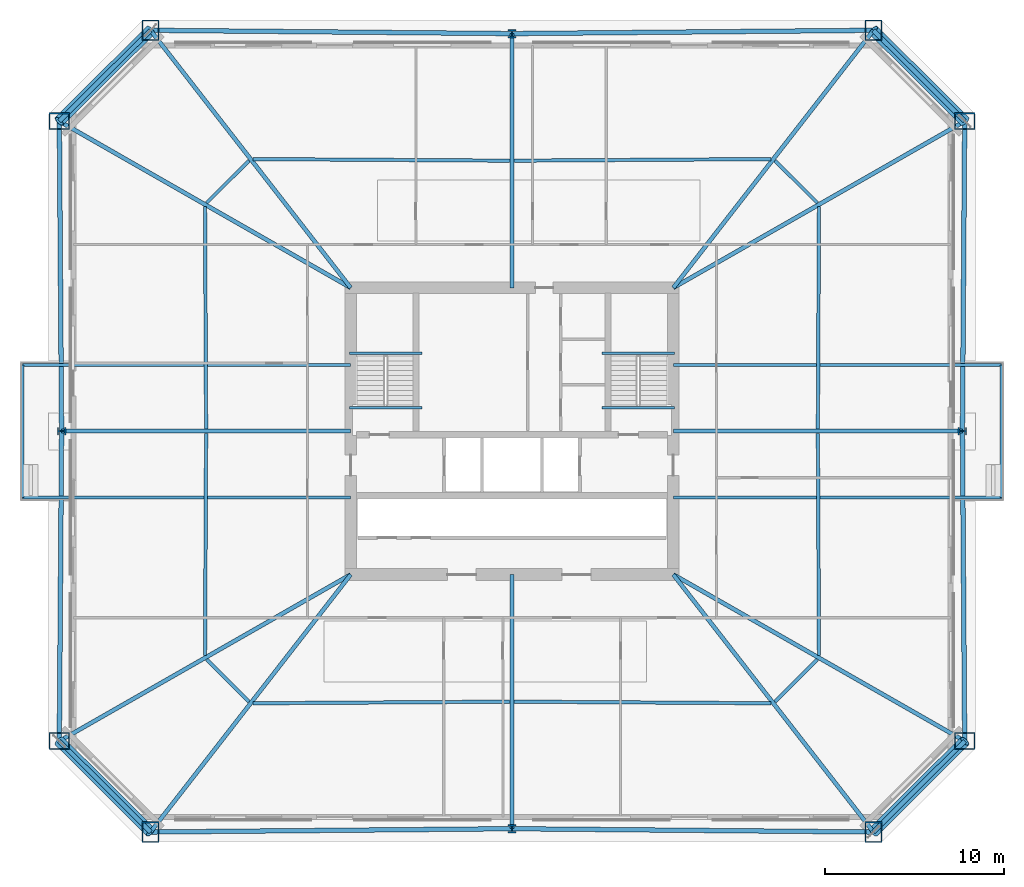
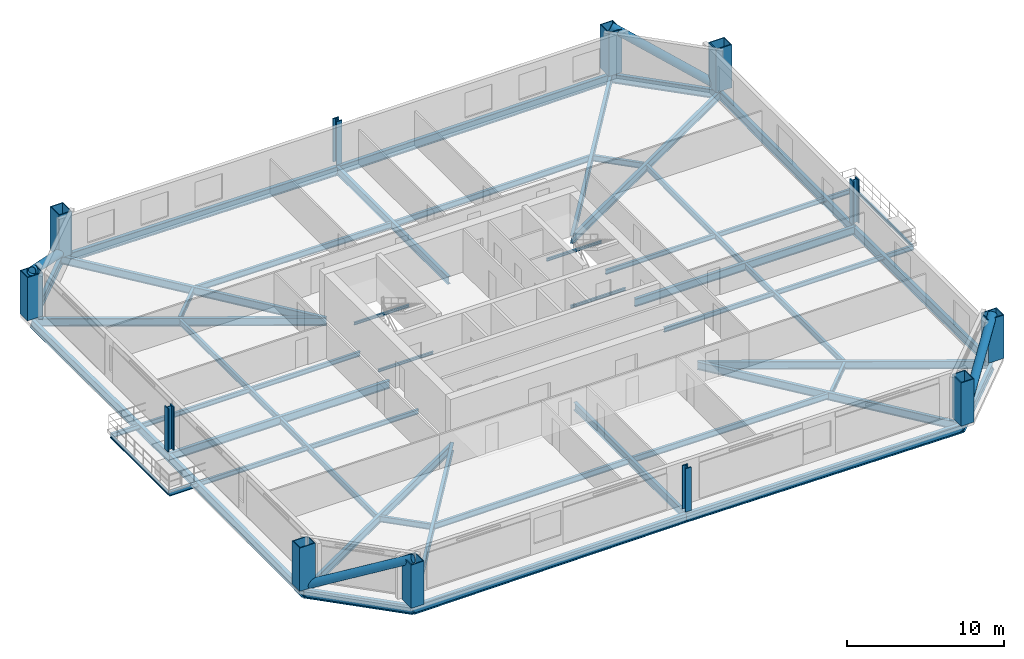
# One storey, part 1 of 11: 46 beams, 12 columns, 4 members.
"""IFC4 building model written with IfcOpenShell, lengths in metres."""

from ifc_helpers import new_model, si_unit, direction, frame, origin, origin_2d, place, context, subcontext, project, spatial, hollow_rectangle, hollow_circle, i_section, extrude, material, material_profile, profile_set, type_object, element, save


model = new_model("IFC4")

# Units and contexts
model_context = context("Model", 3, precision=1e-05, world=origin(), true_north=direction((0.0, 1.0)))
body_context = subcontext(model_context, "Body", "Model", "MODEL_VIEW")
ifc_project = project(units=[si_unit("LENGTHUNIT", "METRE"), si_unit("AREAUNIT", "SQUARE_METRE"), si_unit("VOLUMEUNIT", "CUBIC_METRE"), si_unit("PLANEANGLEUNIT", "RADIAN"), si_unit("MASSUNIT", "GRAM", prefix="KILO")], contexts=[model_context])

# Site, building, storey
site_placement = place(None, origin())
site = spatial("IfcSite", under=ifc_project, at=site_placement, CompositionType="ELEMENT")
building_placement = place(site_placement, origin())
building = spatial("IfcBuilding", under=site, at=building_placement, Name="Caelvoria Tower", CompositionType="ELEMENT")
storey_placement = place(building_placement, frame((0.0, 0.0, 64.0)))
storey = spatial("IfcBuildingStorey", under=building, at=storey_placement, Name="L16", CompositionType="ELEMENT", Elevation=64.0)

# Columns
ifc_material_1 = material(Name="Structural Steel ASTM A913 Gr.65", Category="steel")
ifc_material_profile_1 = material_profile(ifc_material_1, i_section(OverallWidth=0.427978515625, OverallDepth=0.48291015625, WebThickness=0.050537109375, FlangeThickness=0.08154296875, FilletRadius=0.02490234375, at=origin_2d()), Name="Structural Steel ASTM A913 Gr.65")
ifc_profile_set_1 = profile_set([ifc_material_profile_1], Name="W360X677 - Structural Steel ASTM A913 Gr.65")
column_type_1 = type_object("IfcColumnType", Name="Heavy Frame Column W360X677", PredefinedType="COLUMN", material=ifc_profile_set_1)
for number, where, z_axis, x_axis, name in (
    (1, (46.0, 9.820068359375, 0.0), (0.0, 0.0, 1.0), (1.0, 0.0, 0.0), "Perimeter Megaframe Column L16-P01"),
    (2, (71.1298828125, 32.0, 0.0), (0.0, 0.0, 1.0), (0.0, 1.0, 0.0), "Perimeter Megaframe Column L16-P04"),
    (3, (46.0, 54.179931640625, 0.0), (0.0, 0.0, 1.0), (1.0, 0.0, 0.0), "Perimeter Megaframe Column L16-P07"),
    (4, (20.8701171875, 32.0, 0.0), (0.0, 0.0, 1.0), (0.0, 1.0, 0.0), "Perimeter Megaframe Column L16-P10"),
):
    element("IfcColumn", number, at=place(storey_placement, frame(where, z_axis=z_axis, x_axis=x_axis)), inside=storey, type_object=column_type_1, Name=name, PredefinedType="COLUMN", context=body_context, shape_type="SweptSolid", body=[
        extrude(i_section(OverallWidth=0.427978515625, OverallDepth=0.48291015625, WebThickness=0.050537109375, FlangeThickness=0.08154296875, FilletRadius=0.02490234375, at=origin_2d()), origin(), (0.0, 0.0, 1.0), 3.35791015625),
    ])
ifc_material_2 = material(Name="Structural Steel ASTM A572 Gr.50", Category="steel")
ifc_material_profile_2 = material_profile(ifc_material_2, hollow_rectangle(XDim=0.949951171875, YDim=1.14990234375, WallThickness=0.06005859375, at=origin_2d()), Name="Structural Steel ASTM A572 Gr.50")
ifc_profile_set_2 = profile_set([ifc_material_profile_2], Name="BOX1150X950X60 - Structural Steel ASTM A572 Gr.50")
column_type_2 = type_object("IfcColumnType", Name="Mega Box Column 1150x950x60", PredefinedType="COLUMN", material=ifc_profile_set_2)
for number, where, z_axis, x_axis, name in (
    (5, (25.832275390625, 9.634765625, 0.0), (0.0, 0.0, 1.0), (1.0, 0.0, 0.0), "Perimeter Megaframe Column L16-P00"),
    (6, (66.167724609375, 9.634765625, 0.0), (0.0, 0.0, 1.0), (1.0, 0.0, 0.0), "Perimeter Megaframe Column L16-P02"),
    (7, (71.255859375, 14.706787109375, 0.0), (0.0, 0.0, 1.0), (0.0, 1.0, 0.0), "Perimeter Megaframe Column L16-P03"),
    (8, (71.255859375, 49.293212890625, 0.0), (0.0, 0.0, 1.0), (0.0, 1.0, 0.0), "Perimeter Megaframe Column L16-P05"),
    (9, (66.167724609375, 54.365234375, 0.0), (0.0, 0.0, 1.0), (1.0, 0.0, 0.0), "Perimeter Megaframe Column L16-P06"),
    (10, (25.832275390625, 54.365234375, 0.0), (0.0, 0.0, 1.0), (1.0, 0.0, 0.0), "Perimeter Megaframe Column L16-P08"),
    (11, (20.744140625, 49.293212890625, 0.0), (0.0, 0.0, 1.0), (0.0, 1.0, 0.0), "Perimeter Megaframe Column L16-P09"),
    (12, (20.744140625, 14.706787109375, 0.0), (0.0, 0.0, 1.0), (0.0, 1.0, 0.0), "Perimeter Megaframe Column L16-P11"),
):
    element("IfcColumn", number, at=place(storey_placement, frame(where, z_axis=z_axis, x_axis=x_axis)), inside=storey, type_object=column_type_2, Name=name, PredefinedType="COLUMN", context=body_context, shape_type="SweptSolid", body=[
        extrude(hollow_rectangle(XDim=0.949951171875, YDim=1.14990234375, WallThickness=0.06005859375, at=origin_2d()), origin(), (0.0, 0.0, 1.0), 3.35791015625),
    ])

# Beams
ifc_material_3 = material(Name="Structural Steel ASTM A992 Gr.50", Category="steel")
ifc_material_profile_3 = material_profile(ifc_material_3, i_section(OverallWidth=0.134033203125, OverallDepth=0.2099609375, WebThickness=0.00634765625, FlangeThickness=0.01025390625, FilletRadius=0.010009765625, at=origin_2d()), Name="Structural Steel ASTM A992 Gr.50")
ifc_profile_set_3 = profile_set([ifc_material_profile_3], Name="W200X31.3 - Structural Steel ASTM A992 Gr.50")
beam_type_1 = type_object("IfcBeamType", Name="Canopy Edge Trim Beam W200X31.3", PredefinedType="BEAM", material=ifc_profile_set_3)
for number, where, z_axis, x_axis, name in (
    (13, (18.699951171875, 28.300048828125, -0.428955078125), (0.0, 1.0, 0.0), (-1.0, 0.0, 0.0), "Tree Balcony Edge Beam TB-L16-W"),
    (14, (73.300048828125, 28.300048828125, -0.428955078125), (0.0, 1.0, 0.0), (-1.0, 0.0, 0.0), "Tree Balcony Edge Beam TB-L16-E"),
):
    element("IfcBeam", number, at=place(storey_placement, frame(where, z_axis=z_axis, x_axis=x_axis)), inside=storey, type_object=beam_type_1, Name=name, PredefinedType="BEAM", context=body_context, shape_type="SweptSolid", body=[
        extrude(i_section(OverallWidth=0.134033203125, OverallDepth=0.2099609375, WebThickness=0.00634765625, FlangeThickness=0.01025390625, FilletRadius=0.010009765625, at=origin_2d()), origin(), (0.0, 0.0, 1.0), 7.39990234375),
    ])
for number, where, z_axis, x_axis, name in (
    (15, (36.929931640625, 36.35009765625, 1.4951171875), (1.0, 0.0, 0.0), (0.0, 1.0, 0.0), "ST-01 Half-Landing Support Beam L16"),
    (16, (36.929931640625, 33.300048828125, -0.304931640625), (1.0, 0.0, 0.0), (0.0, 1.0, 0.0), "ST-01 Floor-Landing Support Beam L16"),
    (17, (51.030029296875, 36.35009765625, 1.4951171875), (1.0, 0.0, 0.0), (0.0, 1.0, 0.0), "ST-02 Half-Landing Support Beam L16"),
    (18, (51.030029296875, 33.300048828125, -0.304931640625), (1.0, 0.0, 0.0), (0.0, 1.0, 0.0), "ST-02 Floor-Landing Support Beam L16"),
):
    element("IfcBeam", number, at=place(storey_placement, frame(where, z_axis=z_axis, x_axis=x_axis)), inside=storey, type_object=beam_type_1, Name=name, PredefinedType="BEAM", context=body_context, shape_type="SweptSolid", body=[
        extrude(i_section(OverallWidth=0.134033203125, OverallDepth=0.2099609375, WebThickness=0.00634765625, FlangeThickness=0.01025390625, FilletRadius=0.010009765625, at=origin_2d()), origin(), (0.0, 0.0, 1.0), 4.0400390625),
    ])

# Members
ifc_material_profile_4 = material_profile(ifc_material_2, hollow_circle(Radius=0.304931640625, WallThickness=0.02490234375, at=origin_2d()), Name="Structural Steel ASTM A572 Gr.50")
ifc_profile_set_4 = profile_set([ifc_material_profile_4], Name="CHS610X25 - Structural Steel ASTM A572 Gr.50")
member_type = type_object("IfcMemberType", Name="Lower Perimeter Mega Brace CHS610X25", PredefinedType="BRACE", material=ifc_profile_set_4)
for number, where, z_axis, x_axis, name in (
    (19, (66.167724609375, 9.634765625, 0.0), (0.641529419637, 0.639497802071, 0.42365382671), (-0.705984472563, 0.70822731132, 0.0), "Perimeter Chamfer Mega Brace L16 SE"),
    (20, (71.255859375, 49.293212890625, 0.0), (-0.641529419637, 0.639497802071, 0.42365382671), (-0.705984472563, -0.70822731132, 0.0), "Perimeter Chamfer Mega Brace L16 NE"),
    (21, (25.832275390625, 54.365234375, 0.0), (-0.641529419637, -0.639497802071, 0.42365382671), (0.705984472563, -0.70822731132, 0.0), "Perimeter Chamfer Mega Brace L16 NW"),
    (22, (20.744140625, 14.706787109375, 0.0), (0.641529419637, -0.639497802071, 0.42365382671), (0.705984472563, 0.70822731132, 0.0), "Perimeter Chamfer Mega Brace L16 SW"),
):
    element("IfcMember", number, at=place(storey_placement, frame(where, z_axis=z_axis, x_axis=x_axis)), inside=storey, type_object=member_type, Name=name, PredefinedType="BRACE", context=body_context, shape_type="SweptSolid", body=[
        extrude(hollow_circle(Radius=0.304931640625, WallThickness=0.02490234375, at=origin_2d()), origin(), (0.0, 0.0, 1.0), 7.93115234375),
    ])

# Beams
ifc_material_profile_5 = material_profile(ifc_material_3, i_section(OverallWidth=0.25390625, OverallDepth=0.68798828125, WebThickness=0.01318359375, FlangeThickness=0.02099609375, FilletRadius=0.01904296875, at=origin_2d()), Name="Structural Steel ASTM A992 Gr.50")
ifc_profile_set_5 = profile_set([ifc_material_profile_5], Name="W690X152 - Structural Steel ASTM A992 Gr.50")
beam_type_2 = type_object("IfcBeamType", Name="Perimeter Spandrel Girder W690X152", PredefinedType="BEAM", material=ifc_profile_set_5)
for number, where, z_axis, x_axis, name in (
    (23, (25.832275390625, 9.634765625, -0.583984375), (0.999957792235, 0.009187695526, 0.0), (-0.009187695526, 0.999957792235, 0.0), "Perimeter Spandrel Girder L16-00"),
    (24, (46.0, 9.820068359375, -0.583984375), (0.999957792235, -0.009187695526, 0.0), (0.009187695526, 0.999957792235, 0.0), "Perimeter Spandrel Girder L16-01"),
):
    element("IfcBeam", number, at=place(storey_placement, frame(where, z_axis=z_axis, x_axis=x_axis)), inside=storey, type_object=beam_type_2, Name=name, PredefinedType="BEAM", context=body_context, shape_type="SweptSolid", body=[
        extrude(i_section(OverallWidth=0.25390625, OverallDepth=0.68798828125, WebThickness=0.01318359375, FlangeThickness=0.02099609375, FilletRadius=0.01904296875, at=origin_2d()), origin(), (0.0, 0.0, 1.0), 20.16845703125),
    ])
beam_1_placement = place(storey_placement, frame((66.167724609375, 9.634765625, -0.583984375), z_axis=(0.70822731132, 0.705984472563, 0.0), x_axis=(-0.705984472563, 0.70822731132, 0.0)))
element("IfcBeam", 25, at=beam_1_placement, inside=storey, type_object=beam_type_2, Name="Perimeter Spandrel Girder L16-02", PredefinedType="BEAM", context=body_context, shape_type="SweptSolid", body=[
    extrude(i_section(OverallWidth=0.25390625, OverallDepth=0.68798828125, WebThickness=0.01318359375, FlangeThickness=0.02099609375, FilletRadius=0.01904296875, at=origin_2d()), origin(), (0.0, 0.0, 1.0), 7.184326171875),
])
for number, where, z_axis, x_axis, name in (
    (26, (71.255859375, 14.706787109375, -0.583984375), (-0.00728454688, 0.999973467336, 0.0), (-0.999973467336, -0.00728454688, 0.0), "Perimeter Spandrel Girder L16-03"),
    (27, (71.1298828125, 32.0, -0.583984375), (0.00728454688, 0.999973467336, 0.0), (-0.999973467336, 0.00728454688, 0.0), "Perimeter Spandrel Girder L16-04"),
):
    element("IfcBeam", number, at=place(storey_placement, frame(where, z_axis=z_axis, x_axis=x_axis)), inside=storey, type_object=beam_type_2, Name=name, PredefinedType="BEAM", context=body_context, shape_type="SweptSolid", body=[
        extrude(i_section(OverallWidth=0.25390625, OverallDepth=0.68798828125, WebThickness=0.01318359375, FlangeThickness=0.02099609375, FilletRadius=0.01904296875, at=origin_2d()), origin(), (0.0, 0.0, 1.0), 17.293701171875),
    ])
beam_2_placement = place(storey_placement, frame((71.255859375, 49.293212890625, -0.583984375), z_axis=(-0.70822731132, 0.705984472563, 0.0), x_axis=(-0.705984472563, -0.70822731132, 0.0)))
element("IfcBeam", 28, at=beam_2_placement, inside=storey, type_object=beam_type_2, Name="Perimeter Spandrel Girder L16-05", PredefinedType="BEAM", context=body_context, shape_type="SweptSolid", body=[
    extrude(i_section(OverallWidth=0.25390625, OverallDepth=0.68798828125, WebThickness=0.01318359375, FlangeThickness=0.02099609375, FilletRadius=0.01904296875, at=origin_2d()), origin(), (0.0, 0.0, 1.0), 7.184326171875),
])
for number, where, z_axis, x_axis, name in (
    (29, (66.167724609375, 54.365234375, -0.583984375), (-0.999957792235, -0.009187695526, 0.0), (0.009187695526, -0.999957792235, 0.0), "Perimeter Spandrel Girder L16-06"),
    (30, (46.0, 54.179931640625, -0.583984375), (-0.999957792235, 0.009187695526, 0.0), (-0.009187695526, -0.999957792235, 0.0), "Perimeter Spandrel Girder L16-07"),
):
    element("IfcBeam", number, at=place(storey_placement, frame(where, z_axis=z_axis, x_axis=x_axis)), inside=storey, type_object=beam_type_2, Name=name, PredefinedType="BEAM", context=body_context, shape_type="SweptSolid", body=[
        extrude(i_section(OverallWidth=0.25390625, OverallDepth=0.68798828125, WebThickness=0.01318359375, FlangeThickness=0.02099609375, FilletRadius=0.01904296875, at=origin_2d()), origin(), (0.0, 0.0, 1.0), 20.16845703125),
    ])
beam_3_placement = place(storey_placement, frame((25.832275390625, 54.365234375, -0.583984375), z_axis=(-0.70822731132, -0.705984472563, 0.0), x_axis=(0.705984472563, -0.70822731132, 0.0)))
element("IfcBeam", 31, at=beam_3_placement, inside=storey, type_object=beam_type_2, Name="Perimeter Spandrel Girder L16-08", PredefinedType="BEAM", context=body_context, shape_type="SweptSolid", body=[
    extrude(i_section(OverallWidth=0.25390625, OverallDepth=0.68798828125, WebThickness=0.01318359375, FlangeThickness=0.02099609375, FilletRadius=0.01904296875, at=origin_2d()), origin(), (0.0, 0.0, 1.0), 7.184326171875),
])
for number, where, z_axis, x_axis, name in (
    (32, (20.744140625, 49.293212890625, -0.583984375), (0.00728454688, -0.999973467336, 0.0), (0.999973467336, 0.00728454688, 0.0), "Perimeter Spandrel Girder L16-09"),
    (33, (20.8701171875, 32.0, -0.583984375), (-0.00728454688, -0.999973467336, 0.0), (0.999973467336, -0.00728454688, 0.0), "Perimeter Spandrel Girder L16-10"),
):
    element("IfcBeam", number, at=place(storey_placement, frame(where, z_axis=z_axis, x_axis=x_axis)), inside=storey, type_object=beam_type_2, Name=name, PredefinedType="BEAM", context=body_context, shape_type="SweptSolid", body=[
        extrude(i_section(OverallWidth=0.25390625, OverallDepth=0.68798828125, WebThickness=0.01318359375, FlangeThickness=0.02099609375, FilletRadius=0.01904296875, at=origin_2d()), origin(), (0.0, 0.0, 1.0), 17.293701171875),
    ])
beam_4_placement = place(storey_placement, frame((20.744140625, 14.706787109375, -0.583984375), z_axis=(0.70822731132, -0.705984472563, 0.0), x_axis=(0.705984472563, 0.70822731132, 0.0)))
element("IfcBeam", 34, at=beam_4_placement, inside=storey, type_object=beam_type_2, Name="Perimeter Spandrel Girder L16-11", PredefinedType="BEAM", context=body_context, shape_type="SweptSolid", body=[
    extrude(i_section(OverallWidth=0.25390625, OverallDepth=0.68798828125, WebThickness=0.01318359375, FlangeThickness=0.02099609375, FilletRadius=0.01904296875, at=origin_2d()), origin(), (0.0, 0.0, 1.0), 7.184326171875),
])
ifc_material_profile_6 = material_profile(ifc_material_3, i_section(OverallWidth=0.22900390625, OverallDepth=0.612060546875, WebThickness=0.011962890625, FlangeThickness=0.01953125, FilletRadius=0.01806640625, at=origin_2d()), Name="Structural Steel ASTM A992 Gr.50")
ifc_profile_set_6 = profile_set([ifc_material_profile_6], Name="W610X125 - Structural Steel ASTM A992 Gr.50")
beam_type_3 = type_object("IfcBeamType", Name="Primary Radial Floor Girder W610X125", PredefinedType="BEAM", material=ifc_profile_set_6)
beam_5_placement = place(storey_placement, frame((37.0, 24.0, -0.5458984375), z_axis=(-0.613761317889, -0.789491636854, 0.0), x_axis=(0.789491636854, -0.613761317889, 0.0)))
element("IfcBeam", 35, at=beam_5_placement, inside=storey, type_object=beam_type_3, Name="Primary Floor Girder L16-00", PredefinedType="BEAM", context=body_context, shape_type="SweptSolid", body=[
    extrude(i_section(OverallWidth=0.22900390625, OverallDepth=0.612060546875, WebThickness=0.011962890625, FlangeThickness=0.01953125, FilletRadius=0.01806640625, at=origin_2d()), origin(), (0.0, 0.0, 1.0), 18.195556640625),
])
beam_6_placement = place(storey_placement, frame((46.0, 24.0, -0.5458984375), z_axis=(0.0, -1.0, 0.0), x_axis=(1.0, 0.0, 0.0)))
element("IfcBeam", 36, at=beam_6_placement, inside=storey, type_object=beam_type_3, Name="Primary Floor Girder L16-01", PredefinedType="BEAM", context=body_context, shape_type="SweptSolid", body=[
    extrude(i_section(OverallWidth=0.22900390625, OverallDepth=0.612060546875, WebThickness=0.011962890625, FlangeThickness=0.01953125, FilletRadius=0.01806640625, at=origin_2d()), origin(), (0.0, 0.0, 1.0), 14.179931640625),
])
beam_7_placement = place(storey_placement, frame((55.0, 24.0, -0.5458984375), z_axis=(0.613761317889, -0.789491636854, 0.0), x_axis=(0.789491636854, 0.613761317889, 0.0)))
element("IfcBeam", 37, at=beam_7_placement, inside=storey, type_object=beam_type_3, Name="Primary Floor Girder L16-02", PredefinedType="BEAM", context=body_context, shape_type="SweptSolid", body=[
    extrude(i_section(OverallWidth=0.22900390625, OverallDepth=0.612060546875, WebThickness=0.011962890625, FlangeThickness=0.01953125, FilletRadius=0.01806640625, at=origin_2d()), origin(), (0.0, 0.0, 1.0), 18.195556640625),
])
beam_8_placement = place(storey_placement, frame((55.0, 24.0, -0.5458984375), z_axis=(0.86814764497, -0.496306021053, 0.0), x_axis=(0.496306021053, 0.86814764497, 0.0)))
element("IfcBeam", 38, at=beam_8_placement, inside=storey, type_object=beam_type_3, Name="Primary Floor Girder L16-03", PredefinedType="BEAM", context=body_context, shape_type="SweptSolid", body=[
    extrude(i_section(OverallWidth=0.22900390625, OverallDepth=0.612060546875, WebThickness=0.011962890625, FlangeThickness=0.01953125, FilletRadius=0.01806640625, at=origin_2d()), origin(), (0.0, 0.0, 1.0), 18.724853515625),
])
beam_9_placement = place(storey_placement, frame((55.0, 32.0, -0.5458984375), z_axis=(1.0, 0.0, 0.0), x_axis=(0.0, 1.0, 0.0)))
element("IfcBeam", 39, at=beam_9_placement, inside=storey, type_object=beam_type_3, Name="Primary Floor Girder L16-04", PredefinedType="BEAM", context=body_context, shape_type="SweptSolid", body=[
    extrude(i_section(OverallWidth=0.22900390625, OverallDepth=0.612060546875, WebThickness=0.011962890625, FlangeThickness=0.01953125, FilletRadius=0.01806640625, at=origin_2d()), origin(), (0.0, 0.0, 1.0), 16.1298828125),
])
beam_10_placement = place(storey_placement, frame((55.0, 40.0, -0.5458984375), z_axis=(0.86814764497, 0.496306021053, 0.0), x_axis=(-0.496306021053, 0.86814764497, 0.0)))
element("IfcBeam", 40, at=beam_10_placement, inside=storey, type_object=beam_type_3, Name="Primary Floor Girder L16-05", PredefinedType="BEAM", context=body_context, shape_type="SweptSolid", body=[
    extrude(i_section(OverallWidth=0.22900390625, OverallDepth=0.612060546875, WebThickness=0.011962890625, FlangeThickness=0.01953125, FilletRadius=0.01806640625, at=origin_2d()), origin(), (0.0, 0.0, 1.0), 18.724853515625),
])
beam_11_placement = place(storey_placement, frame((55.0, 40.0, -0.5458984375), z_axis=(0.613761317889, 0.789491636854, 0.0), x_axis=(-0.789491636854, 0.613761317889, 0.0)))
element("IfcBeam", 41, at=beam_11_placement, inside=storey, type_object=beam_type_3, Name="Primary Floor Girder L16-06", PredefinedType="BEAM", context=body_context, shape_type="SweptSolid", body=[
    extrude(i_section(OverallWidth=0.22900390625, OverallDepth=0.612060546875, WebThickness=0.011962890625, FlangeThickness=0.01953125, FilletRadius=0.01806640625, at=origin_2d()), origin(), (0.0, 0.0, 1.0), 18.195556640625),
])
beam_12_placement = place(storey_placement, frame((46.0, 40.0, -0.5458984375), z_axis=(0.0, 1.0, 0.0), x_axis=(-1.0, 0.0, 0.0)))
element("IfcBeam", 42, at=beam_12_placement, inside=storey, type_object=beam_type_3, Name="Primary Floor Girder L16-07", PredefinedType="BEAM", context=body_context, shape_type="SweptSolid", body=[
    extrude(i_section(OverallWidth=0.22900390625, OverallDepth=0.612060546875, WebThickness=0.011962890625, FlangeThickness=0.01953125, FilletRadius=0.01806640625, at=origin_2d()), origin(), (0.0, 0.0, 1.0), 14.179931640625),
])
beam_13_placement = place(storey_placement, frame((37.0, 40.0, -0.5458984375), z_axis=(-0.613761317889, 0.789491636854, 0.0), x_axis=(-0.789491636854, -0.613761317889, 0.0)))
element("IfcBeam", 43, at=beam_13_placement, inside=storey, type_object=beam_type_3, Name="Primary Floor Girder L16-08", PredefinedType="BEAM", context=body_context, shape_type="SweptSolid", body=[
    extrude(i_section(OverallWidth=0.22900390625, OverallDepth=0.612060546875, WebThickness=0.011962890625, FlangeThickness=0.01953125, FilletRadius=0.01806640625, at=origin_2d()), origin(), (0.0, 0.0, 1.0), 18.195556640625),
])
beam_14_placement = place(storey_placement, frame((37.0, 40.0, -0.5458984375), z_axis=(-0.86814764497, 0.496306021053, 0.0), x_axis=(-0.496306021053, -0.86814764497, 0.0)))
element("IfcBeam", 44, at=beam_14_placement, inside=storey, type_object=beam_type_3, Name="Primary Floor Girder L16-09", PredefinedType="BEAM", context=body_context, shape_type="SweptSolid", body=[
    extrude(i_section(OverallWidth=0.22900390625, OverallDepth=0.612060546875, WebThickness=0.011962890625, FlangeThickness=0.01953125, FilletRadius=0.01806640625, at=origin_2d()), origin(), (0.0, 0.0, 1.0), 18.724853515625),
])
beam_15_placement = place(storey_placement, frame((37.0, 32.0, -0.5458984375), z_axis=(-1.0, 0.0, 0.0), x_axis=(0.0, -1.0, 0.0)))
element("IfcBeam", 45, at=beam_15_placement, inside=storey, type_object=beam_type_3, Name="Primary Floor Girder L16-10", PredefinedType="BEAM", context=body_context, shape_type="SweptSolid", body=[
    extrude(i_section(OverallWidth=0.22900390625, OverallDepth=0.612060546875, WebThickness=0.011962890625, FlangeThickness=0.01953125, FilletRadius=0.01806640625, at=origin_2d()), origin(), (0.0, 0.0, 1.0), 16.1298828125),
])
beam_16_placement = place(storey_placement, frame((37.0, 24.0, -0.5458984375), z_axis=(-0.86814764497, -0.496306021053, 0.0), x_axis=(0.496306021053, -0.86814764497, 0.0)))
element("IfcBeam", 46, at=beam_16_placement, inside=storey, type_object=beam_type_3, Name="Primary Floor Girder L16-11", PredefinedType="BEAM", context=body_context, shape_type="SweptSolid", body=[
    extrude(i_section(OverallWidth=0.22900390625, OverallDepth=0.612060546875, WebThickness=0.011962890625, FlangeThickness=0.01953125, FilletRadius=0.01806640625, at=origin_2d()), origin(), (0.0, 0.0, 1.0), 18.724853515625),
])
ifc_material_profile_7 = material_profile(ifc_material_3, i_section(OverallWidth=0.18994140625, OverallDepth=0.45703125, WebThickness=0.009033203125, FlangeThickness=0.014404296875, FilletRadius=0.014892578125, at=origin_2d()), Name="Structural Steel ASTM A992 Gr.50")
ifc_profile_set_7 = profile_set([ifc_material_profile_7], Name="W460X74 - Structural Steel ASTM A992 Gr.50")
beam_type_4 = type_object("IfcBeamType", Name="Secondary Floor Beam W460X74", PredefinedType="BEAM", material=ifc_profile_set_7)
for number, where, z_axis, x_axis, name in (
    (47, (31.541015625, 16.818115234375, -0.468505859375), (0.999979820018, 0.00635291717, 0.0), (-0.00635291717, 0.999979820018, 0.0), "Secondary Floor Beam L16-00"),
    (48, (46.125, 16.9091796875, -0.468505859375), (0.999979820018, -0.00635291717, 0.0), (0.00635291717, 0.999979820018, 0.0), "Secondary Floor Beam L16-01"),
):
    element("IfcBeam", number, at=place(storey_placement, frame(where, z_axis=z_axis, x_axis=x_axis)), inside=storey, type_object=beam_type_4, Name=name, PredefinedType="BEAM", context=body_context, shape_type="SweptSolid", body=[
        extrude(i_section(OverallWidth=0.18994140625, OverallDepth=0.45703125, WebThickness=0.009033203125, FlangeThickness=0.014404296875, FilletRadius=0.014892578125, at=origin_2d()), origin(), (0.0, 0.0, 1.0), 14.334228515625),
    ])
beam_17_placement = place(storey_placement, frame((60.67236328125, 16.905517578125, -0.468505859375), z_axis=(0.708201654231, 0.706010210226, 0.0), x_axis=(-0.706010210226, 0.708201654231, 0.0)))
element("IfcBeam", 49, at=beam_17_placement, inside=storey, type_object=beam_type_4, Name="Secondary Floor Beam L16-02", PredefinedType="BEAM", context=body_context, shape_type="SweptSolid", body=[
    extrude(i_section(OverallWidth=0.18994140625, OverallDepth=0.45703125, WebThickness=0.009033203125, FlangeThickness=0.014404296875, FilletRadius=0.014892578125, at=origin_2d()), origin(), (0.0, 0.0, 1.0), 3.34228515625),
])
for number, where, z_axis, x_axis, name in (
    (50, (63.127197265625, 19.478515625, -0.468505859375), (-0.004962913513, 0.999987684669, 0.0), (-0.999987684669, -0.004962913513, 0.0), "Secondary Floor Beam L16-03"),
    (51, (63.065673828125, 32.125, -0.468505859375), (0.004962913513, 0.999987684669, 0.0), (-0.999987684669, 0.004962913513, 0.0), "Secondary Floor Beam L16-04"),
):
    element("IfcBeam", number, at=place(storey_placement, frame(where, z_axis=z_axis, x_axis=x_axis)), inside=storey, type_object=beam_type_4, Name=name, PredefinedType="BEAM", context=body_context, shape_type="SweptSolid", body=[
        extrude(i_section(OverallWidth=0.18994140625, OverallDepth=0.45703125, WebThickness=0.009033203125, FlangeThickness=0.014404296875, FilletRadius=0.014892578125, at=origin_2d()), origin(), (0.0, 0.0, 1.0), 12.396728515625),
    ])
beam_18_placement = place(storey_placement, frame((63.039306640625, 44.73486328125, -0.468505859375), z_axis=(-0.708201654231, 0.706010210226, 0.0), x_axis=(-0.706010210226, -0.708201654231, 0.0)))
element("IfcBeam", 52, at=beam_18_placement, inside=storey, type_object=beam_type_4, Name="Secondary Floor Beam L16-05", PredefinedType="BEAM", context=body_context, shape_type="SweptSolid", body=[
    extrude(i_section(OverallWidth=0.18994140625, OverallDepth=0.45703125, WebThickness=0.009033203125, FlangeThickness=0.014404296875, FilletRadius=0.014892578125, at=origin_2d()), origin(), (0.0, 0.0, 1.0), 3.34228515625),
])
for number, where, z_axis, x_axis, name in (
    (53, (60.458984375, 47.181884765625, -0.468505859375), (-0.999979820018, -0.00635291717, 0.0), (0.00635291717, -0.999979820018, 0.0), "Secondary Floor Beam L16-06"),
    (54, (45.875, 47.0908203125, -0.468505859375), (-0.999979820018, 0.00635291717, 0.0), (-0.00635291717, -0.999979820018, 0.0), "Secondary Floor Beam L16-07"),
):
    element("IfcBeam", number, at=place(storey_placement, frame(where, z_axis=z_axis, x_axis=x_axis)), inside=storey, type_object=beam_type_4, Name=name, PredefinedType="BEAM", context=body_context, shape_type="SweptSolid", body=[
        extrude(i_section(OverallWidth=0.18994140625, OverallDepth=0.45703125, WebThickness=0.009033203125, FlangeThickness=0.014404296875, FilletRadius=0.014892578125, at=origin_2d()), origin(), (0.0, 0.0, 1.0), 14.334228515625),
    ])
beam_19_placement = place(storey_placement, frame((31.32763671875, 47.094482421875, -0.468505859375), z_axis=(-0.708201654231, -0.706010210226, 0.0), x_axis=(0.706010210226, -0.708201654231, 0.0)))
element("IfcBeam", 55, at=beam_19_placement, inside=storey, type_object=beam_type_4, Name="Secondary Floor Beam L16-08", PredefinedType="BEAM", context=body_context, shape_type="SweptSolid", body=[
    extrude(i_section(OverallWidth=0.18994140625, OverallDepth=0.45703125, WebThickness=0.009033203125, FlangeThickness=0.014404296875, FilletRadius=0.014892578125, at=origin_2d()), origin(), (0.0, 0.0, 1.0), 3.34228515625),
])
for number, where, z_axis, x_axis, name in (
    (56, (28.872802734375, 44.521484375, -0.468505859375), (0.004962913513, -0.999987684669, 0.0), (0.999987684669, 0.004962913513, 0.0), "Secondary Floor Beam L16-09"),
    (57, (28.934326171875, 31.875, -0.468505859375), (-0.004962913513, -0.999987684669, 0.0), (0.999987684669, -0.004962913513, 0.0), "Secondary Floor Beam L16-10"),
):
    element("IfcBeam", number, at=place(storey_placement, frame(where, z_axis=z_axis, x_axis=x_axis)), inside=storey, type_object=beam_type_4, Name=name, PredefinedType="BEAM", context=body_context, shape_type="SweptSolid", body=[
        extrude(i_section(OverallWidth=0.18994140625, OverallDepth=0.45703125, WebThickness=0.009033203125, FlangeThickness=0.014404296875, FilletRadius=0.014892578125, at=origin_2d()), origin(), (0.0, 0.0, 1.0), 12.396728515625),
    ])
beam_20_placement = place(storey_placement, frame((28.960693359375, 19.26513671875, -0.468505859375), z_axis=(0.708201654231, -0.706010210226, 0.0), x_axis=(0.706010210226, 0.708201654231, 0.0)))
element("IfcBeam", 58, at=beam_20_placement, inside=storey, type_object=beam_type_4, Name="Secondary Floor Beam L16-11", PredefinedType="BEAM", context=body_context, shape_type="SweptSolid", body=[
    extrude(i_section(OverallWidth=0.18994140625, OverallDepth=0.45703125, WebThickness=0.009033203125, FlangeThickness=0.014404296875, FilletRadius=0.014892578125, at=origin_2d()), origin(), (0.0, 0.0, 1.0), 3.34228515625),
])
ifc_material_profile_8 = material_profile(ifc_material_3, i_section(OverallWidth=0.1708984375, OverallDepth=0.35498046875, WebThickness=0.007080078125, FlangeThickness=0.01171875, FilletRadius=0.012939453125, at=origin_2d()), Name="Structural Steel ASTM A992 Gr.50")
ifc_profile_set_8 = profile_set([ifc_material_profile_8], Name="W360X51 - Structural Steel ASTM A992 Gr.50")
beam_type_5 = type_object("IfcBeamType", Name="Tree Balcony Cantilever Beam W360X51", PredefinedType="BEAM", material=ifc_profile_set_8)
for number, where, z_axis, x_axis, name in (
    (59, (37.0, 28.300048828125, -0.428955078125), (-1.0, 0.0, 0.0), (0.0, -1.0, 0.0), "Tree Balcony Cantilever Beam TB-L16-W L"),
    (60, (37.0, 35.699951171875, -0.428955078125), (-1.0, 0.0, 0.0), (0.0, -1.0, 0.0), "Tree Balcony Cantilever Beam TB-L16-W R"),
    (61, (55.0, 28.300048828125, -0.428955078125), (1.0, 0.0, 0.0), (0.0, 1.0, 0.0), "Tree Balcony Cantilever Beam TB-L16-E L"),
    (62, (55.0, 35.699951171875, -0.428955078125), (1.0, 0.0, 0.0), (0.0, 1.0, 0.0), "Tree Balcony Cantilever Beam TB-L16-E R"),
):
    element("IfcBeam", number, at=place(storey_placement, frame(where, z_axis=z_axis, x_axis=x_axis)), inside=storey, type_object=beam_type_5, Name=name, PredefinedType="BEAM", context=body_context, shape_type="SweptSolid", body=[
        extrude(i_section(OverallWidth=0.1708984375, OverallDepth=0.35498046875, WebThickness=0.007080078125, FlangeThickness=0.01171875, FilletRadius=0.012939453125, at=origin_2d()), origin(), (0.0, 0.0, 1.0), 18.300048828125),
    ])

save(model, "model.ifc")
